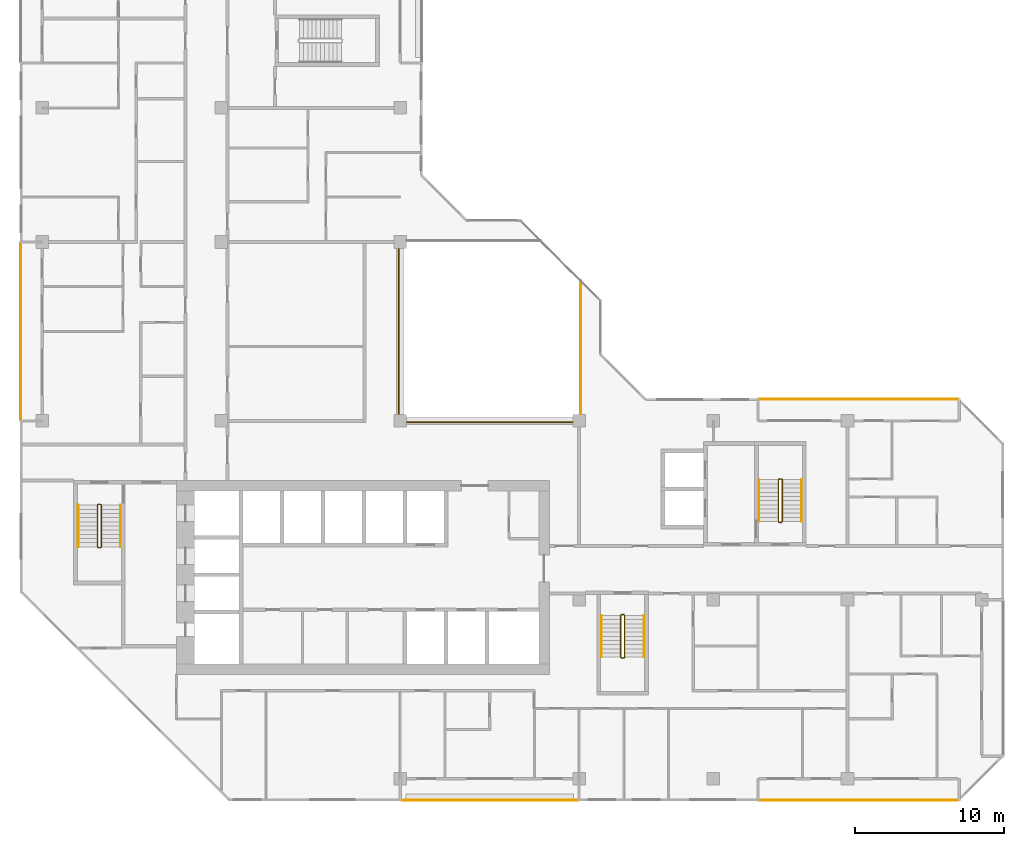
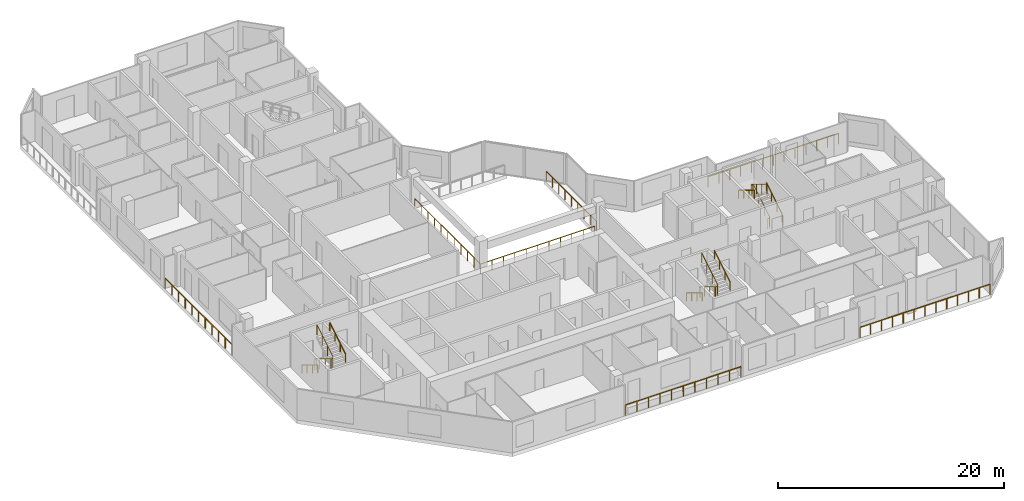
# One storey, part 13 of 14: 15 railings.
"""IFC4 building model written with IfcOpenShell, lengths in metres."""

import ifcopenshell
import ifcopenshell.guid

model = None  # the IFC model being written
_history = None  # IfcOwnerHistory: only IFC2X3 demands one
_inside = {}  # id of a spatial element -> (the spatial element, [elements in it])
_under = {}  # id of a project, library or spatial element -> (it, [spatial elements below it])
_declared = {}  # id of a project -> (the project, [libraries it declares])
_typed = {}  # id of a type object -> (the type object, [elements of that type])
_made_of = {}  # id of a material, layer set ... -> (it, [elements and type objects made of it])


def new_model(schema):
    """Start an empty IFC model of exactly this schema.

    Asked for "IFC4X3", IfcOpenShell would pick the latest addendum, in which some entities
    have other attributes; the version numbers below select the first issue.
    IFC2X3 requires an IfcOwnerHistory on every rooted entity: one is made here for all.
    """
    global model, _history
    if schema == "IFC4X3":
        model = ifcopenshell.file(schema_version=(4, 3, 0, 0))
    else:
        model = ifcopenshell.file(schema=schema)
    _inside.clear()
    _under.clear()
    _declared.clear()
    _typed.clear()
    _made_of.clear()
    _history = None
    if model.schema == "IFC2X3":
        org = make("IfcOrganization", Name="unknown")
        user = make(
            "IfcPersonAndOrganization",
            ThePerson=make("IfcPerson", FamilyName="unknown"),
            TheOrganization=org,
        )
        app = make(
            "IfcApplication",
            ApplicationDeveloper=org,
            Version="unknown",
            ApplicationFullName="unknown",
            ApplicationIdentifier="unknown",
        )
        _history = make(
            "IfcOwnerHistory",
            OwningUser=user,
            OwningApplication=app,
            ChangeAction="ADDED",
            CreationDate=0,
        )
    return model


def make(cls, **values):
    """One entity of the class cls with the attributes given. An attribute that is None is left unset."""
    return model.create_entity(
        cls, **{name: value for name, value in values.items() if value is not None}
    )


def rooted(cls, **values):
    """An entity with a GlobalId (a new one), such as an element, a storey or a relation."""
    return make(cls, GlobalId=ifcopenshell.guid.new(), OwnerHistory=_history, **values)


def si_unit(unit_type, name, prefix=None):
    """IfcSIUnit, for example si_unit("LENGTHUNIT", "METRE", prefix="MILLI")."""
    return make("IfcSIUnit", UnitType=unit_type, Prefix=prefix, Name=name)


def assignment(units):
    """IfcUnitAssignment: the units of a project."""
    return None if units is None else make("IfcUnitAssignment", Units=units)


def point(xyz):
    """IfcCartesianPoint."""
    return None if xyz is None else make("IfcCartesianPoint", Coordinates=xyz)


def direction(xyz):
    """IfcDirection."""
    return None if xyz is None else make("IfcDirection", DirectionRatios=xyz)


def frame(location, z_axis=None, x_axis=None):
    """IfcAxis2Placement3D, a coordinate frame: its origin and axes. An axis left out is left unset."""
    return make(
        "IfcAxis2Placement3D",
        Location=point(location),
        Axis=direction(z_axis),
        RefDirection=direction(x_axis),
    )


def frame_2d(location, x_axis=None):
    """IfcAxis2Placement2D, a coordinate frame in the plane: its origin and x axis."""
    return make(
        "IfcAxis2Placement2D", Location=point(location), RefDirection=direction(x_axis)
    )


def origin():
    """The frame at (0, 0, 0) with its axes left unset."""
    return frame((0.0, 0.0, 0.0))


def origin_2d():
    """The frame at (0, 0) in the plane with its x axis left unset."""
    return frame_2d((0.0, 0.0))


def place(relative_to, where):
    """IfcLocalPlacement: puts the frame where relative to a parent placement (None: the world)."""
    return make(
        "IfcLocalPlacement", PlacementRelTo=relative_to, RelativePlacement=where
    )


def context(
    kind, dimensions, precision=None, world=None, true_north=None, identifier=None
):
    """IfcGeometricRepresentationContext, for example the 3D "Model" context."""
    return make(
        "IfcGeometricRepresentationContext",
        ContextIdentifier=identifier,
        ContextType=kind,
        CoordinateSpaceDimension=dimensions,
        Precision=precision,
        WorldCoordinateSystem=world,
        TrueNorth=true_north,
    )


def subcontext(parent, identifier, kind, view, scale=None):
    """IfcGeometricRepresentationSubContext, for example "Body" below "Model"."""
    return make(
        "IfcGeometricRepresentationSubContext",
        ContextIdentifier=identifier,
        ContextType=kind,
        ParentContext=parent,
        TargetScale=scale,
        TargetView=view,
    )


def project(units=None, contexts=None):
    """IfcProject with its units and contexts."""
    return rooted(
        "IfcProject",
        Name="project",
        RepresentationContexts=contexts,
        UnitsInContext=assignment(units),
    )


def spatial(cls, under=None, at=None, **own):
    """A site, building, storey or space (cls), placed at a placement, below another one or the project."""
    s = rooted(cls, ObjectPlacement=at, **own)
    if under is not None:
        _under.setdefault(under.id(), (under, []))[1].append(s)
    return s


def profile(cls, at=None, kind="AREA", **sizes):
    """A parametric profile (cls). Its sizes go by their IFC names, for example OverallWidth=200.0."""
    return make(cls, ProfileType=kind, Position=at, **sizes)


def rectangle(**sizes):
    """IfcRectangleProfileDef."""
    return profile("IfcRectangleProfileDef", **sizes)


def extrude(swept, where, along, depth):
    """IfcExtrudedAreaSolid: the profile swept, set in the frame where, extruded along a direction by depth."""
    return make(
        "IfcExtrudedAreaSolid",
        SweptArea=swept,
        Position=where,
        ExtrudedDirection=direction(along),
        Depth=depth,
    )


def shape(context_of_items, identifier, shape_type, items):
    """IfcShapeRepresentation: the items that make up one representation, for example the "Body"."""
    return make(
        "IfcShapeRepresentation",
        ContextOfItems=context_of_items,
        RepresentationIdentifier=identifier,
        RepresentationType=shape_type,
        Items=items,
    )


def material(Name=None, Category=None):
    """IfcMaterial."""
    return make("IfcMaterial", Name=Name, Category=Category)


def made_of(thing, what):
    """Note that an element or type object is made of a material, layer set ...; save() writes the relation."""
    if what is not None:
        _made_of.setdefault(what.id(), (what, []))[1].append(thing)
    return thing


def type_object(cls, material=None, **own):
    """A type object (cls), such as IfcWallType, which elements share."""
    return made_of(rooted(cls, **own), material)


def element(
    cls,
    number,
    at=None,
    inside=None,
    cuts=None,
    type_object=None,
    material=None,
    context=None,
    identifier="Body",
    shape_type=None,
    held_by="IfcProductDefinitionShape",
    body=None,
    shapes=None,
    **own,
):
    """One element of the class cls, such as IfcWall. Its Tag is "e" and its number.

    at: its placement. inside: the storey or other place that contains it. cuts: it is an
    opening in that element (IfcRelVoidsElement). A single representation is given by context,
    identifier, shape_type and body (its items); several are given by shapes. held_by: the class
    of the entity that holds the representations. save() writes the other relations.
    """
    e = rooted(cls, Tag="e%d" % number, ObjectPlacement=at, **own)
    if body is not None:
        shapes = [shape(context, identifier, shape_type, body)]
    if shapes is not None:
        e.Representation = make(held_by, Representations=shapes)
    if inside is not None:
        _inside.setdefault(inside.id(), (inside, []))[1].append(e)
    if cuts is not None:
        rooted(
            "IfcRelVoidsElement", RelatingBuildingElement=cuts, RelatedOpeningElement=e
        )
    if type_object is not None:
        _typed.setdefault(type_object.id(), (type_object, []))[1].append(e)
    return made_of(e, material)


def aggregate(whole, parts):
    """IfcRelAggregates: a whole, such as a stair, and the parts it consists of."""
    return rooted("IfcRelAggregates", RelatingObject=whole, RelatedObjects=parts)


def save(model, path):
    """Write the relations noted so far, then the file.

    IfcRelAggregates (storeys below a building ...), IfcRelContainedInSpatialStructure (elements
    in a storey), IfcRelDefinesByType, IfcRelAssociatesMaterial and IfcRelDeclares: one each for
    every whole, place, type object, material and project.
    """
    for whole, parts in _under.values():
        aggregate(whole, parts)
    for where, things in _inside.values():
        rooted(
            "IfcRelContainedInSpatialStructure",
            RelatedElements=things,
            RelatingStructure=where,
        )
    for kind, things in _typed.values():
        rooted("IfcRelDefinesByType", RelatedObjects=things, RelatingType=kind)
    for what, things in _made_of.values():
        rooted("IfcRelAssociatesMaterial", RelatedObjects=things, RelatingMaterial=what)
    for by, libraries in _declared.values():
        rooted("IfcRelDeclares", RelatingContext=by, RelatedDefinitions=libraries)
    model.write(path)


model = new_model("IFC4")

# Units and contexts
model_context = context("Model", 3, precision=1e-05, world=origin(), true_north=direction((0.0, 1.0)))
body_context = subcontext(model_context, "Body", "Model", "MODEL_VIEW")
ifc_project = project(units=[si_unit("LENGTHUNIT", "METRE"), si_unit("AREAUNIT", "SQUARE_METRE"), si_unit("VOLUMEUNIT", "CUBIC_METRE"), si_unit("PLANEANGLEUNIT", "RADIAN"), si_unit("MASSUNIT", "GRAM", prefix="KILO")], contexts=[model_context])

# Site, building, storey
site_placement = place(None, origin())
site = spatial("IfcSite", under=ifc_project, at=site_placement, CompositionType="ELEMENT")
building_placement = place(site_placement, origin())
building = spatial("IfcBuilding", under=site, at=building_placement, Name="Chenar Terraces", CompositionType="ELEMENT")
storey_placement = place(building_placement, frame((0.0, 0.0, 237.89990234375)))
storey = spatial("IfcBuildingStorey", under=building, at=storey_placement, Name="L56", CompositionType="ELEMENT", Elevation=237.89990234375)

# Railings
ifc_material_1 = material(Name="Powder-coated steel", Category="steel")
railing_type_1 = type_object("IfcRailingType", Name="Guard 1100 steel rail with glass infill", PredefinedType="GUARDRAIL", material=ifc_material_1)
railing_1_placement = place(storey_placement, frame((23.89990234375, 35.574951171875, 0.0)))
element("IfcRailing", 1, at=railing_1_placement, inside=storey, type_object=railing_type_1, Name="Guard L56-1", PredefinedType="GUARDRAIL", context=body_context, shape_type="SweptSolid", body=[
    extrude(rectangle(XDim=0.06005859375, YDim=0.06005859375, at=origin_2d()), frame((0.0, 0.0, 1.070068359375), z_axis=(0.0, -1.0, 0.0), x_axis=(1.0, 0.0, 0.0)), (0.0, 0.0, 1.0), 11.675048828125),
    extrude(rectangle(XDim=0.06005859375, YDim=0.06005859375, at=origin_2d()), frame((0.0, -11.675048828125, 1.070068359375), z_axis=(1.0, 0.0, 0.0), x_axis=(0.0, 1.0, 0.0)), (0.0, 0.0, 1.0), 11.675048828125),
    extrude(rectangle(XDim=0.050048828125, YDim=0.050048828125, at=origin_2d()), origin(), (0.0, 0.0, 1.0), 1.0400390625),
    extrude(rectangle(XDim=0.050048828125, YDim=0.050048828125, at=origin_2d()), frame((0.0, -1.16748046875, 0.0)), (0.0, 0.0, 1.0), 1.0400390625),
    extrude(rectangle(XDim=0.050048828125, YDim=0.050048828125, at=origin_2d()), frame((0.0, -2.3349609375, 0.0)), (0.0, 0.0, 1.0), 1.0400390625),
    extrude(rectangle(XDim=0.050048828125, YDim=0.050048828125, at=origin_2d()), frame((0.0, -3.50244140625, 0.0)), (0.0, 0.0, 1.0), 1.0400390625),
    extrude(rectangle(XDim=0.050048828125, YDim=0.050048828125, at=origin_2d()), frame((0.0, -4.669921875, 0.0)), (0.0, 0.0, 1.0), 1.0400390625),
    extrude(rectangle(XDim=0.050048828125, YDim=0.050048828125, at=origin_2d()), frame((0.0, -5.83740234375, 0.0)), (0.0, 0.0, 1.0), 1.0400390625),
    extrude(rectangle(XDim=0.050048828125, YDim=0.050048828125, at=origin_2d()), frame((0.0, -7.005126953125, 0.0)), (0.0, 0.0, 1.0), 1.0400390625),
    extrude(rectangle(XDim=0.050048828125, YDim=0.050048828125, at=origin_2d()), frame((0.0, -8.172607421875, 0.0)), (0.0, 0.0, 1.0), 1.0400390625),
    extrude(rectangle(XDim=0.050048828125, YDim=0.050048828125, at=origin_2d()), frame((0.0, -9.340087890625, 0.0)), (0.0, 0.0, 1.0), 1.0400390625),
    extrude(rectangle(XDim=0.050048828125, YDim=0.050048828125, at=origin_2d()), frame((0.0, -10.507568359375, 0.0)), (0.0, 0.0, 1.0), 1.0400390625),
    extrude(rectangle(XDim=0.050048828125, YDim=0.050048828125, at=origin_2d()), frame((0.0, -11.675048828125, 0.0)), (0.0, 0.0, 1.0), 1.0400390625),
    extrude(rectangle(XDim=0.050048828125, YDim=0.050048828125, at=origin_2d()), frame((1.16748046875, -11.675048828125, 0.0)), (0.0, 0.0, 1.0), 1.0400390625),
    extrude(rectangle(XDim=0.050048828125, YDim=0.050048828125, at=origin_2d()), frame((2.3349609375, -11.675048828125, 0.0)), (0.0, 0.0, 1.0), 1.0400390625),
    extrude(rectangle(XDim=0.050048828125, YDim=0.050048828125, at=origin_2d()), frame((3.50244140625, -11.675048828125, 0.0)), (0.0, 0.0, 1.0), 1.0400390625),
    extrude(rectangle(XDim=0.050048828125, YDim=0.050048828125, at=origin_2d()), frame((4.669921875, -11.675048828125, 0.0)), (0.0, 0.0, 1.0), 1.0400390625),
    extrude(rectangle(XDim=0.050048828125, YDim=0.050048828125, at=origin_2d()), frame((5.83740234375, -11.675048828125, 0.0)), (0.0, 0.0, 1.0), 1.0400390625),
    extrude(rectangle(XDim=0.050048828125, YDim=0.050048828125, at=origin_2d()), frame((7.005126953125, -11.675048828125, 0.0)), (0.0, 0.0, 1.0), 1.0400390625),
    extrude(rectangle(XDim=0.050048828125, YDim=0.050048828125, at=origin_2d()), frame((8.172607421875, -11.675048828125, 0.0)), (0.0, 0.0, 1.0), 1.0400390625),
    extrude(rectangle(XDim=0.050048828125, YDim=0.050048828125, at=origin_2d()), frame((9.340087890625, -11.675048828125, 0.0)), (0.0, 0.0, 1.0), 1.0400390625),
    extrude(rectangle(XDim=0.050048828125, YDim=0.050048828125, at=origin_2d()), frame((10.507568359375, -11.675048828125, 0.0)), (0.0, 0.0, 1.0), 1.0400390625),
    extrude(rectangle(XDim=0.050048828125, YDim=0.050048828125, at=origin_2d()), frame((11.675048828125, -11.675048828125, 0.0)), (0.0, 0.0, 1.0), 1.0400390625),
])
railing_2_placement = place(storey_placement, frame((36.10009765625, 24.47509765625, 0.0)))
element("IfcRailing", 2, at=railing_2_placement, inside=storey, type_object=railing_type_1, Name="Guard L56-3", PredefinedType="GUARDRAIL", context=body_context, shape_type="SweptSolid", body=[
    extrude(rectangle(XDim=0.06005859375, YDim=0.06005859375, at=origin_2d()), frame((0.0, 0.0, 1.070068359375), z_axis=(0.0, 1.0, 0.0), x_axis=(-1.0, 0.0, 0.0)), (0.0, 0.0, 1.0), 8.9248046875),
    extrude(rectangle(XDim=0.050048828125, YDim=0.050048828125, at=origin_2d()), origin(), (0.0, 0.0, 1.0), 1.0400390625),
    extrude(rectangle(XDim=0.050048828125, YDim=0.050048828125, at=origin_2d()), frame((0.0, 1.11572265625, 0.0)), (0.0, 0.0, 1.0), 1.0400390625),
    extrude(rectangle(XDim=0.050048828125, YDim=0.050048828125, at=origin_2d()), frame((0.0, 2.231201171875, 0.0)), (0.0, 0.0, 1.0), 1.0400390625),
    extrude(rectangle(XDim=0.050048828125, YDim=0.050048828125, at=origin_2d()), frame((0.0, 3.3466796875, 0.0)), (0.0, 0.0, 1.0), 1.0400390625),
    extrude(rectangle(XDim=0.050048828125, YDim=0.050048828125, at=origin_2d()), frame((0.0, 4.46240234375, 0.0)), (0.0, 0.0, 1.0), 1.0400390625),
    extrude(rectangle(XDim=0.050048828125, YDim=0.050048828125, at=origin_2d()), frame((0.0, 5.578125, 0.0)), (0.0, 0.0, 1.0), 1.0400390625),
    extrude(rectangle(XDim=0.050048828125, YDim=0.050048828125, at=origin_2d()), frame((0.0, 6.693603515625, 0.0)), (0.0, 0.0, 1.0), 1.0400390625),
    extrude(rectangle(XDim=0.050048828125, YDim=0.050048828125, at=origin_2d()), frame((0.0, 7.80908203125, 0.0)), (0.0, 0.0, 1.0), 1.0400390625),
    extrude(rectangle(XDim=0.050048828125, YDim=0.050048828125, at=origin_2d()), frame((0.0, 8.9248046875, 0.0)), (0.0, 0.0, 1.0), 1.0400390625),
])
ifc_material_2 = material(Name="Stainless steel and glass", Category="steel")
railing_type_2 = type_object("IfcRailingType", Name="Loggia guard 1150", PredefinedType="GUARDRAIL", material=ifc_material_2)
railing_3_placement = place(storey_placement, frame((61.425048828125, 25.449951171875, 0.0)))
element("IfcRailing", 3, at=railing_3_placement, inside=storey, type_object=railing_type_2, Name="Loggia guard", PredefinedType="GUARDRAIL", context=body_context, shape_type="SweptSolid", body=[
    extrude(rectangle(XDim=0.048095703125, YDim=0.048095703125, at=origin_2d()), frame((0.0, 0.0, 1.1259765625), z_axis=(-1.0, 0.0, 0.0), x_axis=(0.0, -1.0, 0.0)), (0.0, 0.0, 1.0), 13.35009765625),
    extrude(rectangle(XDim=0.0419921875, YDim=0.0419921875, at=origin_2d()), origin(), (0.0, 0.0, 1.0), 1.101806640625),
    extrude(rectangle(XDim=0.0419921875, YDim=0.0419921875, at=origin_2d()), frame((-1.112548828125, 0.0, 0.0)), (0.0, 0.0, 1.0), 1.101806640625),
    extrude(rectangle(XDim=0.0419921875, YDim=0.0419921875, at=origin_2d()), frame((-2.22509765625, 0.0, 0.0)), (0.0, 0.0, 1.0), 1.101806640625),
    extrude(rectangle(XDim=0.0419921875, YDim=0.0419921875, at=origin_2d()), frame((-3.33740234375, 0.0, 0.0)), (0.0, 0.0, 1.0), 1.101806640625),
    extrude(rectangle(XDim=0.0419921875, YDim=0.0419921875, at=origin_2d()), frame((-4.449951171875, 0.0, 0.0)), (0.0, 0.0, 1.0), 1.101806640625),
    extrude(rectangle(XDim=0.0419921875, YDim=0.0419921875, at=origin_2d()), frame((-5.5625, 0.0, 0.0)), (0.0, 0.0, 1.0), 1.101806640625),
    extrude(rectangle(XDim=0.0419921875, YDim=0.0419921875, at=origin_2d()), frame((-6.675048828125, 0.0, 0.0)), (0.0, 0.0, 1.0), 1.101806640625),
    extrude(rectangle(XDim=0.0419921875, YDim=0.0419921875, at=origin_2d()), frame((-7.78759765625, 0.0, 0.0)), (0.0, 0.0, 1.0), 1.101806640625),
    extrude(rectangle(XDim=0.0419921875, YDim=0.0419921875, at=origin_2d()), frame((-8.900146484375, 0.0, 0.0)), (0.0, 0.0, 1.0), 1.101806640625),
    extrude(rectangle(XDim=0.0419921875, YDim=0.0419921875, at=origin_2d()), frame((-10.0126953125, 0.0, 0.0)), (0.0, 0.0, 1.0), 1.101806640625),
    extrude(rectangle(XDim=0.0419921875, YDim=0.0419921875, at=origin_2d()), frame((-11.125, 0.0, 0.0)), (0.0, 0.0, 1.0), 1.101806640625),
    extrude(rectangle(XDim=0.0419921875, YDim=0.0419921875, at=origin_2d()), frame((-12.237548828125, 0.0, 0.0)), (0.0, 0.0, 1.0), 1.101806640625),
    extrude(rectangle(XDim=0.0419921875, YDim=0.0419921875, at=origin_2d()), frame((-13.35009765625, 0.0, 0.0)), (0.0, 0.0, 1.0), 1.101806640625),
])
railing_4_placement = place(storey_placement, frame((24.074951171875, -1.449951171875, 0.0)))
element("IfcRailing", 4, at=railing_4_placement, inside=storey, type_object=railing_type_2, Name="Loggia guard", PredefinedType="GUARDRAIL", context=body_context, shape_type="SweptSolid", body=[
    extrude(rectangle(XDim=0.048095703125, YDim=0.048095703125, at=origin_2d()), frame((0.0, 0.0, 1.1259765625), z_axis=(1.0, 0.0, 0.0), x_axis=(0.0, 1.0, 0.0)), (0.0, 0.0, 1.0), 11.85009765625),
    extrude(rectangle(XDim=0.0419921875, YDim=0.0419921875, at=origin_2d()), origin(), (0.0, 0.0, 1.0), 1.101806640625),
    extrude(rectangle(XDim=0.0419921875, YDim=0.0419921875, at=origin_2d()), frame((1.18505859375, 0.0, 0.0)), (0.0, 0.0, 1.0), 1.101806640625),
    extrude(rectangle(XDim=0.0419921875, YDim=0.0419921875, at=origin_2d()), frame((2.3701171875, 0.0, 0.0)), (0.0, 0.0, 1.0), 1.101806640625),
    extrude(rectangle(XDim=0.0419921875, YDim=0.0419921875, at=origin_2d()), frame((3.554931640625, 0.0, 0.0)), (0.0, 0.0, 1.0), 1.101806640625),
    extrude(rectangle(XDim=0.0419921875, YDim=0.0419921875, at=origin_2d()), frame((4.739990234375, 0.0, 0.0)), (0.0, 0.0, 1.0), 1.101806640625),
    extrude(rectangle(XDim=0.0419921875, YDim=0.0419921875, at=origin_2d()), frame((5.925048828125, 0.0, 0.0)), (0.0, 0.0, 1.0), 1.101806640625),
    extrude(rectangle(XDim=0.0419921875, YDim=0.0419921875, at=origin_2d()), frame((7.110107421875, 0.0, 0.0)), (0.0, 0.0, 1.0), 1.101806640625),
    extrude(rectangle(XDim=0.0419921875, YDim=0.0419921875, at=origin_2d()), frame((8.295166015625, 0.0, 0.0)), (0.0, 0.0, 1.0), 1.101806640625),
    extrude(rectangle(XDim=0.0419921875, YDim=0.0419921875, at=origin_2d()), frame((9.47998046875, 0.0, 0.0)), (0.0, 0.0, 1.0), 1.101806640625),
    extrude(rectangle(XDim=0.0419921875, YDim=0.0419921875, at=origin_2d()), frame((10.6650390625, 0.0, 0.0)), (0.0, 0.0, 1.0), 1.101806640625),
    extrude(rectangle(XDim=0.0419921875, YDim=0.0419921875, at=origin_2d()), frame((11.85009765625, 0.0, 0.0)), (0.0, 0.0, 1.0), 1.101806640625),
])
railing_5_placement = place(storey_placement, frame((48.074951171875, -1.449951171875, 0.0)))
element("IfcRailing", 5, at=railing_5_placement, inside=storey, type_object=railing_type_2, Name="Loggia guard", PredefinedType="GUARDRAIL", context=body_context, shape_type="SweptSolid", body=[
    extrude(rectangle(XDim=0.048095703125, YDim=0.048095703125, at=origin_2d()), frame((0.0, 0.0, 1.1259765625), z_axis=(1.0, 0.0, 0.0), x_axis=(0.0, 1.0, 0.0)), (0.0, 0.0, 1.0), 13.35009765625),
    extrude(rectangle(XDim=0.0419921875, YDim=0.0419921875, at=origin_2d()), origin(), (0.0, 0.0, 1.0), 1.101806640625),
    extrude(rectangle(XDim=0.0419921875, YDim=0.0419921875, at=origin_2d()), frame((1.112548828125, 0.0, 0.0)), (0.0, 0.0, 1.0), 1.101806640625),
    extrude(rectangle(XDim=0.0419921875, YDim=0.0419921875, at=origin_2d()), frame((2.22509765625, 0.0, 0.0)), (0.0, 0.0, 1.0), 1.101806640625),
    extrude(rectangle(XDim=0.0419921875, YDim=0.0419921875, at=origin_2d()), frame((3.33740234375, 0.0, 0.0)), (0.0, 0.0, 1.0), 1.101806640625),
    extrude(rectangle(XDim=0.0419921875, YDim=0.0419921875, at=origin_2d()), frame((4.449951171875, 0.0, 0.0)), (0.0, 0.0, 1.0), 1.101806640625),
    extrude(rectangle(XDim=0.0419921875, YDim=0.0419921875, at=origin_2d()), frame((5.5625, 0.0, 0.0)), (0.0, 0.0, 1.0), 1.101806640625),
    extrude(rectangle(XDim=0.0419921875, YDim=0.0419921875, at=origin_2d()), frame((6.675048828125, 0.0, 0.0)), (0.0, 0.0, 1.0), 1.101806640625),
    extrude(rectangle(XDim=0.0419921875, YDim=0.0419921875, at=origin_2d()), frame((7.78759765625, 0.0, 0.0)), (0.0, 0.0, 1.0), 1.101806640625),
    extrude(rectangle(XDim=0.0419921875, YDim=0.0419921875, at=origin_2d()), frame((8.900146484375, 0.0, 0.0)), (0.0, 0.0, 1.0), 1.101806640625),
    extrude(rectangle(XDim=0.0419921875, YDim=0.0419921875, at=origin_2d()), frame((10.0126953125, 0.0, 0.0)), (0.0, 0.0, 1.0), 1.101806640625),
    extrude(rectangle(XDim=0.0419921875, YDim=0.0419921875, at=origin_2d()), frame((11.125, 0.0, 0.0)), (0.0, 0.0, 1.0), 1.101806640625),
    extrude(rectangle(XDim=0.0419921875, YDim=0.0419921875, at=origin_2d()), frame((12.237548828125, 0.0, 0.0)), (0.0, 0.0, 1.0), 1.101806640625),
    extrude(rectangle(XDim=0.0419921875, YDim=0.0419921875, at=origin_2d()), frame((13.35009765625, 0.0, 0.0)), (0.0, 0.0, 1.0), 1.101806640625),
])
railing_6_placement = place(storey_placement, frame((-1.449951171875, 35.925048828125, 0.0)))
element("IfcRailing", 6, at=railing_6_placement, inside=storey, type_object=railing_type_2, Name="Loggia guard", PredefinedType="GUARDRAIL", context=body_context, shape_type="SweptSolid", body=[
    extrude(rectangle(XDim=0.048095703125, YDim=0.048095703125, at=origin_2d()), frame((0.0, 0.0, 1.1259765625), z_axis=(0.0, -1.0, 0.0), x_axis=(1.0, 0.0, 0.0)), (0.0, 0.0, 1.0), 11.85009765625),
    extrude(rectangle(XDim=0.0419921875, YDim=0.0419921875, at=origin_2d()), origin(), (0.0, 0.0, 1.0), 1.101806640625),
    extrude(rectangle(XDim=0.0419921875, YDim=0.0419921875, at=origin_2d()), frame((0.0, -1.18505859375, 0.0)), (0.0, 0.0, 1.0), 1.101806640625),
    extrude(rectangle(XDim=0.0419921875, YDim=0.0419921875, at=origin_2d()), frame((0.0, -2.3701171875, 0.0)), (0.0, 0.0, 1.0), 1.101806640625),
    extrude(rectangle(XDim=0.0419921875, YDim=0.0419921875, at=origin_2d()), frame((0.0, -3.554931640625, 0.0)), (0.0, 0.0, 1.0), 1.101806640625),
    extrude(rectangle(XDim=0.0419921875, YDim=0.0419921875, at=origin_2d()), frame((0.0, -4.739990234375, 0.0)), (0.0, 0.0, 1.0), 1.101806640625),
    extrude(rectangle(XDim=0.0419921875, YDim=0.0419921875, at=origin_2d()), frame((0.0, -5.925048828125, 0.0)), (0.0, 0.0, 1.0), 1.101806640625),
    extrude(rectangle(XDim=0.0419921875, YDim=0.0419921875, at=origin_2d()), frame((0.0, -7.110107421875, 0.0)), (0.0, 0.0, 1.0), 1.101806640625),
    extrude(rectangle(XDim=0.0419921875, YDim=0.0419921875, at=origin_2d()), frame((0.0, -8.295166015625, 0.0)), (0.0, 0.0, 1.0), 1.101806640625),
    extrude(rectangle(XDim=0.0419921875, YDim=0.0419921875, at=origin_2d()), frame((0.0, -9.47998046875, 0.0)), (0.0, 0.0, 1.0), 1.101806640625),
    extrude(rectangle(XDim=0.0419921875, YDim=0.0419921875, at=origin_2d()), frame((0.0, -10.6650390625, 0.0)), (0.0, 0.0, 1.0), 1.101806640625),
    extrude(rectangle(XDim=0.0419921875, YDim=0.0419921875, at=origin_2d()), frame((0.0, -11.85009765625, 0.0)), (0.0, 0.0, 1.0), 1.101806640625),
])
ifc_material_3 = material(Name="Powder-coated steel", Category="steel")
railing_type_3 = type_object("IfcRailingType", Name="Stair guard 1100", PredefinedType="GUARDRAIL", material=ifc_material_3)
railing_7_placement = place(storey_placement, frame((3.949951171875, 18.35009765625, 3.75)))
element("IfcRailing", 7, at=railing_7_placement, inside=storey, type_object=railing_type_3, Name="L56 ST1 stair guard 1", PredefinedType="GUARDRAIL", context=body_context, shape_type="SweptSolid", body=[
    extrude(rectangle(XDim=0.048095703125, YDim=0.048095703125, at=origin_2d()), frame((0.0, 0.0, 1.076171875), z_axis=(0.0, -0.854202870247, -0.519939858505), x_axis=(1.0, 0.0, 0.0)), (0.0, 0.0, 1.0), 3.278076171875),
    extrude(rectangle(XDim=0.048095703125, YDim=0.048095703125, at=origin_2d()), frame((0.0, -2.800048828125, -0.62841796875), z_axis=(-0.270899902878, -0.270899902878, -0.923702595667), x_axis=(0.707106781187, -0.707106781187, 0.0)), (0.0, 0.0, 1.0), 0.184814453125),
    extrude(rectangle(XDim=0.048095703125, YDim=0.048095703125, at=origin_2d()), frame((-0.050048828125, -2.85009765625, -0.798828125), z_axis=(-1.0, 0.0, 0.0), x_axis=(0.0, -1.0, 0.0)), (0.0, 0.0, 1.0), 0.14990234375),
    extrude(rectangle(XDim=0.048095703125, YDim=0.048095703125, at=origin_2d()), frame((-0.199951171875, -2.85009765625, -0.798828125), z_axis=(-0.707106781187, 0.707106781187, 0.0), x_axis=(-0.707106781187, -0.707106781187, 0.0)), (0.0, 0.0, 1.0), 0.07080078125),
    extrude(rectangle(XDim=0.048095703125, YDim=0.048095703125, at=origin_2d()), frame((-0.25, -2.800048828125, -0.798828125), z_axis=(0.0, 0.854202870247, -0.519939858505), x_axis=(-1.0, 0.0, 0.0)), (0.0, 0.0, 1.0), 3.278076171875),
    extrude(rectangle(XDim=0.048095703125, YDim=0.048095703125, at=origin_2d()), frame((-0.25, 0.0, -2.50341796875), z_axis=(0.270996696079, 0.269674760976, -0.924032636873), x_axis=(-0.705375805398, 0.708833529934, 0.0)), (0.0, 0.0, 1.0), 0.1845703125),
    extrude(rectangle(XDim=0.048095703125, YDim=0.048095703125, at=origin_2d()), frame((-0.199951171875, 0.0498046875, -2.673828125), z_axis=(1.0, 0.0, 0.0), x_axis=(0.0, 1.0, 0.0)), (0.0, 0.0, 1.0), 0.14990234375),
    extrude(rectangle(XDim=0.0419921875, YDim=0.0419921875, at=origin_2d()), origin(), (0.0, 0.0, 1.0), 1.052001953125),
    extrude(rectangle(XDim=0.0419921875, YDim=0.0419921875, at=origin_2d()), frame((0.0, -0.933349609375, -0.568115234375)), (0.0, 0.0, 1.0), 1.052001953125),
    extrude(rectangle(XDim=0.0419921875, YDim=0.0419921875, at=origin_2d()), frame((0.0, -1.86669921875, -1.13623046875)), (0.0, 0.0, 1.0), 1.052001953125),
    extrude(rectangle(XDim=0.0419921875, YDim=0.0419921875, at=origin_2d()), frame((0.0, -2.800048828125, -1.704345703125)), (0.0, 0.0, 1.0), 1.052001953125),
    extrude(rectangle(XDim=0.0419921875, YDim=0.0419921875, at=origin_2d()), frame((-0.050048828125, -2.85009765625, -1.875)), (0.0, 0.0, 1.0), 1.052001953125),
    extrude(rectangle(XDim=0.0419921875, YDim=0.0419921875, at=origin_2d()), frame((-0.199951171875, -2.85009765625, -1.875)), (0.0, 0.0, 1.0), 1.052001953125),
    extrude(rectangle(XDim=0.0419921875, YDim=0.0419921875, at=origin_2d()), frame((-0.25, -2.800048828125, -1.875)), (0.0, 0.0, 1.0), 1.052001953125),
    extrude(rectangle(XDim=0.0419921875, YDim=0.0419921875, at=origin_2d()), frame((-0.25, -1.86669921875, -2.443115234375)), (0.0, 0.0, 1.0), 1.052001953125),
    extrude(rectangle(XDim=0.0419921875, YDim=0.0419921875, at=origin_2d()), frame((-0.25, -0.933349609375, -3.01123046875)), (0.0, 0.0, 1.0), 1.052001953125),
    extrude(rectangle(XDim=0.0419921875, YDim=0.0419921875, at=origin_2d()), frame((-0.25, 0.0, -3.579345703125)), (0.0, 0.0, 1.0), 1.052001953125),
    extrude(rectangle(XDim=0.0419921875, YDim=0.0419921875, at=origin_2d()), frame((-0.199951171875, 0.0498046875, -3.75)), (0.0, 0.0, 1.0), 1.052001953125),
    extrude(rectangle(XDim=0.0419921875, YDim=0.0419921875, at=origin_2d()), frame((-0.050048828125, 0.0498046875, -3.75)), (0.0, 0.0, 1.0), 1.052001953125),
])
railing_8_placement = place(storey_placement, frame((39.050048828125, 10.949951171875, 3.75)))
element("IfcRailing", 8, at=railing_8_placement, inside=storey, type_object=railing_type_3, Name="L56 ST2 stair guard 1", PredefinedType="GUARDRAIL", context=body_context, shape_type="SweptSolid", body=[
    extrude(rectangle(XDim=0.048095703125, YDim=0.048095703125, at=origin_2d()), frame((0.0, 0.0, 1.076171875), z_axis=(0.0, -0.854202870247, -0.519939858505), x_axis=(1.0, 0.0, 0.0)), (0.0, 0.0, 1.0), 3.278076171875),
    extrude(rectangle(XDim=0.048095703125, YDim=0.048095703125, at=origin_2d()), frame((0.0, -2.800048828125, -0.62841796875), z_axis=(-0.270996696079, -0.269674760976, -0.924032636873), x_axis=(0.705375805398, -0.708833529934, 0.0)), (0.0, 0.0, 1.0), 0.1845703125),
    extrude(rectangle(XDim=0.048095703125, YDim=0.048095703125, at=origin_2d()), frame((-0.050048828125, -2.849853515625, -0.798828125), z_axis=(-1.0, 0.0, 0.0), x_axis=(0.0, -1.0, 0.0)), (0.0, 0.0, 1.0), 0.14990234375),
    extrude(rectangle(XDim=0.048095703125, YDim=0.048095703125, at=origin_2d()), frame((-0.199951171875, -2.849853515625, -0.798828125), z_axis=(-0.708833529934, 0.705375805398, 0.0), x_axis=(-0.705375805398, -0.708833529934, 0.0)), (0.0, 0.0, 1.0), 0.070556640625),
    extrude(rectangle(XDim=0.048095703125, YDim=0.048095703125, at=origin_2d()), frame((-0.25, -2.800048828125, -0.798828125), z_axis=(0.0, 0.854202870247, -0.519939858505), x_axis=(-1.0, 0.0, 0.0)), (0.0, 0.0, 1.0), 3.278076171875),
    extrude(rectangle(XDim=0.048095703125, YDim=0.048095703125, at=origin_2d()), frame((-0.25, 0.0, -2.50341796875), z_axis=(0.270899902878, 0.270899902878, -0.923702595667), x_axis=(-0.707106781187, 0.707106781187, 0.0)), (0.0, 0.0, 1.0), 0.184814453125),
    extrude(rectangle(XDim=0.048095703125, YDim=0.048095703125, at=origin_2d()), frame((-0.199951171875, 0.050048828125, -2.673828125), z_axis=(1.0, 0.0, 0.0), x_axis=(0.0, 1.0, 0.0)), (0.0, 0.0, 1.0), 0.14990234375),
    extrude(rectangle(XDim=0.0419921875, YDim=0.0419921875, at=origin_2d()), origin(), (0.0, 0.0, 1.0), 1.052001953125),
    extrude(rectangle(XDim=0.0419921875, YDim=0.0419921875, at=origin_2d()), frame((0.0, -0.933349609375, -0.568115234375)), (0.0, 0.0, 1.0), 1.052001953125),
    extrude(rectangle(XDim=0.0419921875, YDim=0.0419921875, at=origin_2d()), frame((0.0, -1.86669921875, -1.13623046875)), (0.0, 0.0, 1.0), 1.052001953125),
    extrude(rectangle(XDim=0.0419921875, YDim=0.0419921875, at=origin_2d()), frame((0.0, -2.800048828125, -1.704345703125)), (0.0, 0.0, 1.0), 1.052001953125),
    extrude(rectangle(XDim=0.0419921875, YDim=0.0419921875, at=origin_2d()), frame((-0.050048828125, -2.849853515625, -1.875)), (0.0, 0.0, 1.0), 1.052001953125),
    extrude(rectangle(XDim=0.0419921875, YDim=0.0419921875, at=origin_2d()), frame((-0.199951171875, -2.849853515625, -1.875)), (0.0, 0.0, 1.0), 1.052001953125),
    extrude(rectangle(XDim=0.0419921875, YDim=0.0419921875, at=origin_2d()), frame((-0.25, -2.800048828125, -1.875)), (0.0, 0.0, 1.0), 1.052001953125),
    extrude(rectangle(XDim=0.0419921875, YDim=0.0419921875, at=origin_2d()), frame((-0.25, -1.86669921875, -2.443115234375)), (0.0, 0.0, 1.0), 1.052001953125),
    extrude(rectangle(XDim=0.0419921875, YDim=0.0419921875, at=origin_2d()), frame((-0.25, -0.933349609375, -3.01123046875)), (0.0, 0.0, 1.0), 1.052001953125),
    extrude(rectangle(XDim=0.0419921875, YDim=0.0419921875, at=origin_2d()), frame((-0.25, 0.0, -3.579345703125)), (0.0, 0.0, 1.0), 1.052001953125),
    extrude(rectangle(XDim=0.0419921875, YDim=0.0419921875, at=origin_2d()), frame((-0.199951171875, 0.050048828125, -3.75)), (0.0, 0.0, 1.0), 1.052001953125),
    extrude(rectangle(XDim=0.0419921875, YDim=0.0419921875, at=origin_2d()), frame((-0.050048828125, 0.050048828125, -3.75)), (0.0, 0.0, 1.0), 1.052001953125),
])
railing_9_placement = place(storey_placement, frame((49.375, 17.25, 3.75)))
element("IfcRailing", 9, at=railing_9_placement, inside=storey, type_object=railing_type_3, Name="L56 ST3 stair guard 1", PredefinedType="GUARDRAIL", context=body_context, shape_type="SweptSolid", body=[
    extrude(rectangle(XDim=0.048095703125, YDim=0.048095703125, at=origin_2d()), frame((0.0, 0.0, 1.076171875), z_axis=(0.0, 0.854202870247, -0.519939858505), x_axis=(-1.0, 0.0, 0.0)), (0.0, 0.0, 1.0), 3.278076171875),
    extrude(rectangle(XDim=0.048095703125, YDim=0.048095703125, at=origin_2d()), frame((0.0, 2.800048828125, -0.62841796875), z_axis=(0.270899902878, 0.270899902878, -0.923702595667), x_axis=(-0.707106781187, 0.707106781187, 0.0)), (0.0, 0.0, 1.0), 0.184814453125),
    extrude(rectangle(XDim=0.048095703125, YDim=0.048095703125, at=origin_2d()), frame((0.050048828125, 2.85009765625, -0.798828125), z_axis=(1.0, 0.0, 0.0), x_axis=(0.0, 1.0, 0.0)), (0.0, 0.0, 1.0), 0.14990234375),
    extrude(rectangle(XDim=0.048095703125, YDim=0.048095703125, at=origin_2d()), frame((0.199951171875, 2.85009765625, -0.798828125), z_axis=(0.707106781187, -0.707106781187, 0.0), x_axis=(0.707106781187, 0.707106781187, 0.0)), (0.0, 0.0, 1.0), 0.07080078125),
    extrude(rectangle(XDim=0.048095703125, YDim=0.048095703125, at=origin_2d()), frame((0.25, 2.800048828125, -0.798828125), z_axis=(0.0, -0.854202870247, -0.519939858505), x_axis=(1.0, 0.0, 0.0)), (0.0, 0.0, 1.0), 3.278076171875),
    extrude(rectangle(XDim=0.048095703125, YDim=0.048095703125, at=origin_2d()), frame((0.25, 0.0, -2.50341796875), z_axis=(-0.270899902878, -0.270899902878, -0.923702595667), x_axis=(0.707106781187, -0.707106781187, 0.0)), (0.0, 0.0, 1.0), 0.184814453125),
    extrude(rectangle(XDim=0.048095703125, YDim=0.048095703125, at=origin_2d()), frame((0.199951171875, -0.050048828125, -2.673828125), z_axis=(-1.0, 0.0, 0.0), x_axis=(0.0, -1.0, 0.0)), (0.0, 0.0, 1.0), 0.14990234375),
    extrude(rectangle(XDim=0.0419921875, YDim=0.0419921875, at=origin_2d()), origin(), (0.0, 0.0, 1.0), 1.052001953125),
    extrude(rectangle(XDim=0.0419921875, YDim=0.0419921875, at=origin_2d()), frame((0.0, 0.933349609375, -0.568115234375)), (0.0, 0.0, 1.0), 1.052001953125),
    extrude(rectangle(XDim=0.0419921875, YDim=0.0419921875, at=origin_2d()), frame((0.0, 1.86669921875, -1.13623046875)), (0.0, 0.0, 1.0), 1.052001953125),
    extrude(rectangle(XDim=0.0419921875, YDim=0.0419921875, at=origin_2d()), frame((0.0, 2.800048828125, -1.704345703125)), (0.0, 0.0, 1.0), 1.052001953125),
    extrude(rectangle(XDim=0.0419921875, YDim=0.0419921875, at=origin_2d()), frame((0.050048828125, 2.85009765625, -1.875)), (0.0, 0.0, 1.0), 1.052001953125),
    extrude(rectangle(XDim=0.0419921875, YDim=0.0419921875, at=origin_2d()), frame((0.199951171875, 2.85009765625, -1.875)), (0.0, 0.0, 1.0), 1.052001953125),
    extrude(rectangle(XDim=0.0419921875, YDim=0.0419921875, at=origin_2d()), frame((0.25, 2.800048828125, -1.875)), (0.0, 0.0, 1.0), 1.052001953125),
    extrude(rectangle(XDim=0.0419921875, YDim=0.0419921875, at=origin_2d()), frame((0.25, 1.86669921875, -2.443115234375)), (0.0, 0.0, 1.0), 1.052001953125),
    extrude(rectangle(XDim=0.0419921875, YDim=0.0419921875, at=origin_2d()), frame((0.25, 0.933349609375, -3.01123046875)), (0.0, 0.0, 1.0), 1.052001953125),
    extrude(rectangle(XDim=0.0419921875, YDim=0.0419921875, at=origin_2d()), frame((0.25, 0.0, -3.579345703125)), (0.0, 0.0, 1.0), 1.052001953125),
    extrude(rectangle(XDim=0.0419921875, YDim=0.0419921875, at=origin_2d()), frame((0.199951171875, -0.050048828125, -3.75)), (0.0, 0.0, 1.0), 1.052001953125),
    extrude(rectangle(XDim=0.0419921875, YDim=0.0419921875, at=origin_2d()), frame((0.050048828125, -0.050048828125, -3.75)), (0.0, 0.0, 1.0), 1.052001953125),
])
ifc_material_4 = material(Name="Powder-coated steel", Category="steel")
railing_type_4 = type_object("IfcRailingType", Name="Stair handrail 900", PredefinedType="HANDRAIL", material=ifc_material_4)
railing_10_placement = place(storey_placement, frame((2.39990234375, 18.35009765625, 0.170654296875)))
element("IfcRailing", 10, at=railing_10_placement, inside=storey, type_object=railing_type_4, Name="L56 ST1 stair handrail 1", PredefinedType="HANDRAIL", context=body_context, shape_type="SweptSolid", body=[
    extrude(rectangle(XDim=0.048095703125, YDim=0.048095703125, at=origin_2d()), frame((0.0, 0.0, 0.8759765625), z_axis=(0.0, -0.854202870247, 0.519939858505), x_axis=(1.0, 0.0, 0.0)), (0.0, 0.0, 1.0), 3.278076171875),
    extrude(rectangle(XDim=0.0419921875, YDim=0.0419921875, at=origin_2d()), origin(), (0.0, 0.0, 1.0), 0.851806640625),
    extrude(rectangle(XDim=0.0419921875, YDim=0.0419921875, at=origin_2d()), frame((0.0, -0.933349609375, 0.568115234375)), (0.0, 0.0, 1.0), 0.851806640625),
    extrude(rectangle(XDim=0.0419921875, YDim=0.0419921875, at=origin_2d()), frame((0.0, -1.86669921875, 1.13623046875)), (0.0, 0.0, 1.0), 0.851806640625),
    extrude(rectangle(XDim=0.0419921875, YDim=0.0419921875, at=origin_2d()), frame((0.0, -2.800048828125, 1.704345703125)), (0.0, 0.0, 1.0), 0.851806640625),
])
railing_11_placement = place(storey_placement, frame((5.25, 15.550048828125, 2.045654296875)))
element("IfcRailing", 11, at=railing_11_placement, inside=storey, type_object=railing_type_4, Name="L56 ST1 stair handrail 2", PredefinedType="HANDRAIL", context=body_context, shape_type="SweptSolid", body=[
    extrude(rectangle(XDim=0.048095703125, YDim=0.048095703125, at=origin_2d()), frame((0.0, 0.0, 0.8759765625), z_axis=(0.0, 0.854202870247, 0.519939858505), x_axis=(-1.0, 0.0, 0.0)), (0.0, 0.0, 1.0), 3.278076171875),
    extrude(rectangle(XDim=0.0419921875, YDim=0.0419921875, at=origin_2d()), origin(), (0.0, 0.0, 1.0), 0.851806640625),
    extrude(rectangle(XDim=0.0419921875, YDim=0.0419921875, at=origin_2d()), frame((0.0, 0.933349609375, 0.568115234375)), (0.0, 0.0, 1.0), 0.851806640625),
    extrude(rectangle(XDim=0.0419921875, YDim=0.0419921875, at=origin_2d()), frame((0.0, 1.86669921875, 1.13623046875)), (0.0, 0.0, 1.0), 0.851806640625),
    extrude(rectangle(XDim=0.0419921875, YDim=0.0419921875, at=origin_2d()), frame((0.0, 2.800048828125, 1.704345703125)), (0.0, 0.0, 1.0), 0.851806640625),
])
railing_12_placement = place(storey_placement, frame((37.5, 10.949951171875, 0.170654296875)))
element("IfcRailing", 12, at=railing_12_placement, inside=storey, type_object=railing_type_4, Name="L56 ST2 stair handrail 1", PredefinedType="HANDRAIL", context=body_context, shape_type="SweptSolid", body=[
    extrude(rectangle(XDim=0.048095703125, YDim=0.048095703125, at=origin_2d()), frame((0.0, 0.0, 0.8759765625), z_axis=(0.0, -0.854202870247, 0.519939858505), x_axis=(1.0, 0.0, 0.0)), (0.0, 0.0, 1.0), 3.278076171875),
    extrude(rectangle(XDim=0.0419921875, YDim=0.0419921875, at=origin_2d()), origin(), (0.0, 0.0, 1.0), 0.851806640625),
    extrude(rectangle(XDim=0.0419921875, YDim=0.0419921875, at=origin_2d()), frame((0.0, -0.933349609375, 0.568115234375)), (0.0, 0.0, 1.0), 0.851806640625),
    extrude(rectangle(XDim=0.0419921875, YDim=0.0419921875, at=origin_2d()), frame((0.0, -1.86669921875, 1.13623046875)), (0.0, 0.0, 1.0), 0.851806640625),
    extrude(rectangle(XDim=0.0419921875, YDim=0.0419921875, at=origin_2d()), frame((0.0, -2.800048828125, 1.704345703125)), (0.0, 0.0, 1.0), 0.851806640625),
])
for number, where, name in (
    (13, (40.35009765625, 8.14990234375, 2.045654296875), "L56 ST2 stair handrail 2"),
    (14, (50.925048828125, 17.25, 0.170654296875), "L56 ST3 stair handrail 1"),
):
    element("IfcRailing", number, at=place(storey_placement, frame(where)), inside=storey, type_object=railing_type_4, Name=name, PredefinedType="HANDRAIL", context=body_context, shape_type="SweptSolid", body=[
        extrude(rectangle(XDim=0.048095703125, YDim=0.048095703125, at=origin_2d()), frame((0.0, 0.0, 0.8759765625), z_axis=(0.0, 0.854202870247, 0.519939858505), x_axis=(-1.0, 0.0, 0.0)), (0.0, 0.0, 1.0), 3.278076171875),
        extrude(rectangle(XDim=0.0419921875, YDim=0.0419921875, at=origin_2d()), origin(), (0.0, 0.0, 1.0), 0.851806640625),
        extrude(rectangle(XDim=0.0419921875, YDim=0.0419921875, at=origin_2d()), frame((0.0, 0.933349609375, 0.568115234375)), (0.0, 0.0, 1.0), 0.851806640625),
        extrude(rectangle(XDim=0.0419921875, YDim=0.0419921875, at=origin_2d()), frame((0.0, 1.86669921875, 1.13623046875)), (0.0, 0.0, 1.0), 0.851806640625),
        extrude(rectangle(XDim=0.0419921875, YDim=0.0419921875, at=origin_2d()), frame((0.0, 2.800048828125, 1.704345703125)), (0.0, 0.0, 1.0), 0.851806640625),
    ])
railing_13_placement = place(storey_placement, frame((48.074951171875, 20.050048828125, 2.045654296875)))
element("IfcRailing", 15, at=railing_13_placement, inside=storey, type_object=railing_type_4, Name="L56 ST3 stair handrail 2", PredefinedType="HANDRAIL", context=body_context, shape_type="SweptSolid", body=[
    extrude(rectangle(XDim=0.048095703125, YDim=0.048095703125, at=origin_2d()), frame((0.0, 0.0, 0.8759765625), z_axis=(0.0, -0.854202870247, 0.519939858505), x_axis=(1.0, 0.0, 0.0)), (0.0, 0.0, 1.0), 3.278076171875),
    extrude(rectangle(XDim=0.0419921875, YDim=0.0419921875, at=origin_2d()), origin(), (0.0, 0.0, 1.0), 0.851806640625),
    extrude(rectangle(XDim=0.0419921875, YDim=0.0419921875, at=origin_2d()), frame((0.0, -0.933349609375, 0.568115234375)), (0.0, 0.0, 1.0), 0.851806640625),
    extrude(rectangle(XDim=0.0419921875, YDim=0.0419921875, at=origin_2d()), frame((0.0, -1.86669921875, 1.13623046875)), (0.0, 0.0, 1.0), 0.851806640625),
    extrude(rectangle(XDim=0.0419921875, YDim=0.0419921875, at=origin_2d()), frame((0.0, -2.800048828125, 1.704345703125)), (0.0, 0.0, 1.0), 0.851806640625),
])

save(model, "model.ifc")
